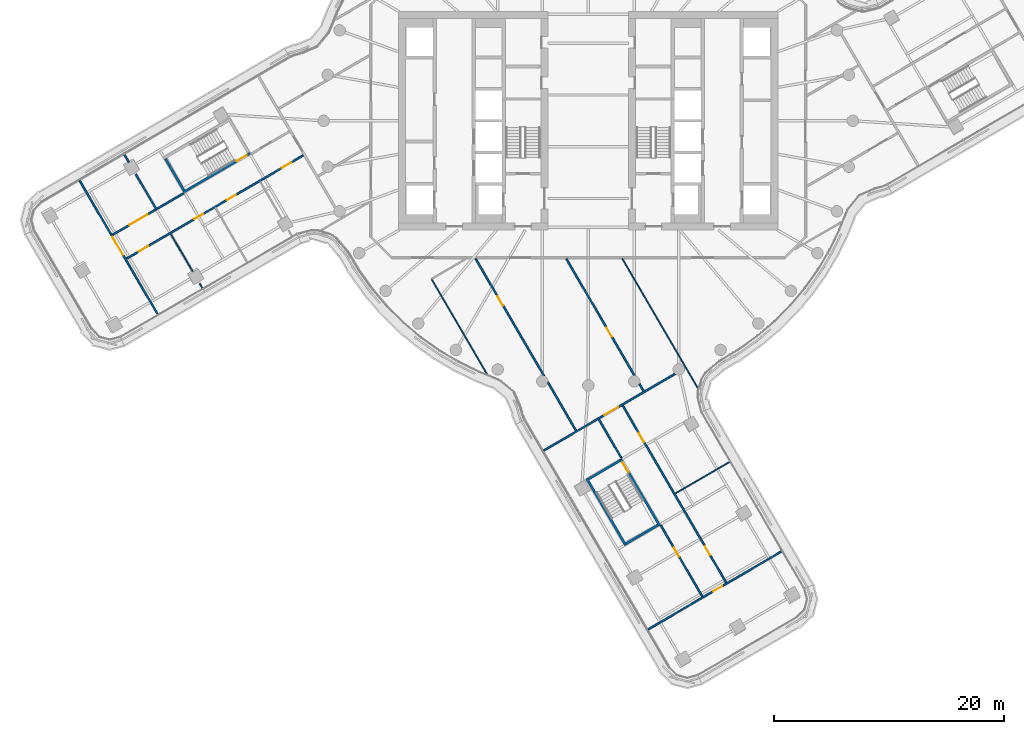
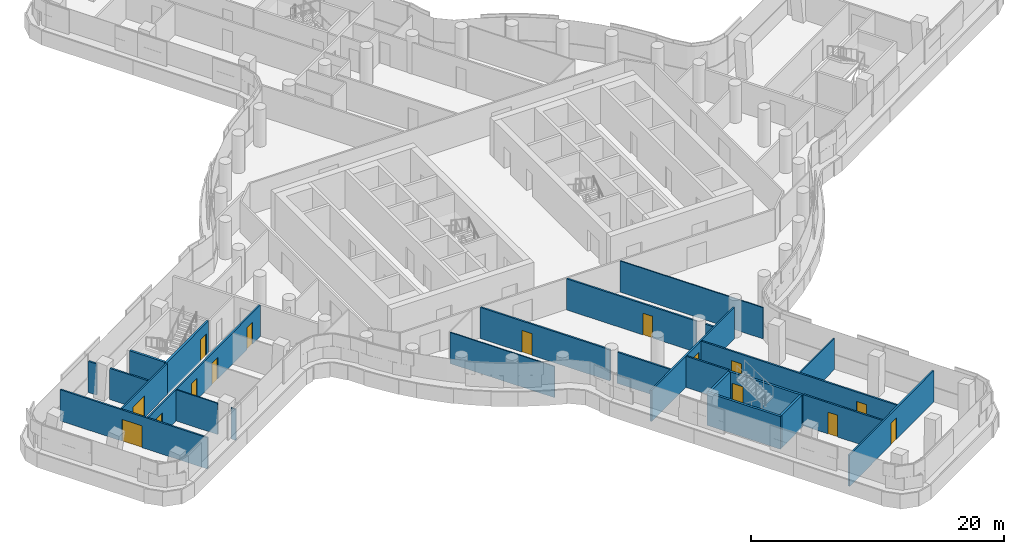
# One storey, part 21 of 35: 25 walls, 15 doors, 15 openings.
"""IFC4 building model written with IfcOpenShell, lengths in metres."""

from ifc_helpers import new_model, si_unit, direction, frame, frame_2d, origin, place, context, subcontext, project, spatial, polyline, rectangle, outline, extrude, material, layer, layer_set, type_object, element, fill, save


model = new_model("IFC4")

# Units and contexts
model_context = context("Model", 3, precision=1e-05, world=origin(), true_north=direction((0.0, 1.0)))
body_context = subcontext(model_context, "Body", "Model", "MODEL_VIEW")
ifc_project = project(units=[si_unit("LENGTHUNIT", "METRE"), si_unit("AREAUNIT", "SQUARE_METRE"), si_unit("VOLUMEUNIT", "CUBIC_METRE"), si_unit("PLANEANGLEUNIT", "RADIAN"), si_unit("MASSUNIT", "GRAM", prefix="KILO")], contexts=[model_context])

# Site, building, storey
site_placement = place(None, origin())
site = spatial("IfcSite", under=ifc_project, at=site_placement, CompositionType="ELEMENT")
building_placement = place(site_placement, origin())
building = spatial("IfcBuilding", under=site, at=building_placement, Name="Tamarind Cross Interchange Tower", CompositionType="ELEMENT")
storey_placement = place(building_placement, frame((0.0, 0.0, 144.25)))
storey = spatial("IfcBuildingStorey", under=building, at=storey_placement, Name="L35", CompositionType="ELEMENT", Elevation=144.25)

# Walls
ifc_material_1 = material(Name="Gypsum board partition on steel studs", Category="steel")
ifc_layer_1 = layer(ifc_material_1, 0.10009765625)
ifc_layer_set_1 = layer_set([ifc_layer_1], Name="Gypsum board partition on steel studs")
wall_type_1 = type_object("IfcWallType", Name="Partition 100 mm EI 90", PredefinedType="PARTITIONING", material=ifc_layer_set_1)
wall_1_placement = place(storey_placement, frame((-36.29345703125, -9.828857421875, 0.0), z_axis=(0.0, 0.0, 1.0), x_axis=(0.504524326747, -0.863397477249, 0.0)))
element("IfcWall", 1, at=wall_1_placement, inside=storey, type_object=wall_type_1, Name="Partition L35-004", PredefinedType="PARTITIONING", context=body_context, shape_type="SweptSolid", body=[
    extrude(rectangle(XDim=3.78662109375, YDim=0.10009765625, at=frame_2d((1.893310546875, 0.0))), origin(), (0.0, 0.0, 1.0), 3.010009765625),
])
wall_2_placement = place(storey_placement, frame((-33.781494140625, -14.127685546875, 0.0), z_axis=(0.0, 0.0, 1.0), x_axis=(0.504757124564, -0.863261400274, 0.0)))
element("IfcWall", 2, at=wall_2_placement, inside=storey, type_object=wall_type_1, Name="Partition L35-005", PredefinedType="PARTITIONING", context=body_context, shape_type="SweptSolid", body=[
    extrude(rectangle(XDim=0.46240234375, YDim=0.10009765625, at=frame_2d((0.231201171875, 0.0))), origin(), (0.0, 0.0, 1.0), 3.010009765625),
])
wall_3_placement = place(storey_placement, frame((-13.599853515625, -13.790283203125, 0.0), z_axis=(0.0, 0.0, 1.0), x_axis=(0.50451801346, -0.863401166373, 0.0)))
element("IfcWall", 3, at=wall_3_placement, inside=storey, type_object=wall_type_1, Name="Partition L35-010", PredefinedType="PARTITIONING", context=body_context, shape_type="SweptSolid", body=[
    extrude(rectangle(XDim=9.5, YDim=0.10009765625, at=frame_2d((4.75, 0.0))), origin(), (0.0, 0.0, 1.0), 3.010009765625),
])
wall_4_placement = place(storey_placement, frame((2.948974609375, -11.98193359375, 0.0), z_axis=(0.0, 0.0, 1.0), x_axis=(0.504470329386, -0.863429028218, 0.0)))
element("IfcWall", 4, at=wall_4_placement, inside=storey, type_object=wall_type_1, Name="Partition L35-027", PredefinedType="PARTITIONING", context=body_context, shape_type="SweptSolid", body=[
    extrude(rectangle(XDim=13.016357421875, YDim=0.10009765625, at=frame_2d((6.50830078125, 0.0))), origin(), (0.0, 0.0, 1.0), 3.010009765625),
])
wall_5_placement = place(storey_placement, frame((7.558837890625, -32.408203125, 0.0), z_axis=(0.0, 0.0, 1.0), x_axis=(0.863434278628, 0.504461342909, 0.0)))
element("IfcWall", 5, at=wall_5_placement, inside=storey, type_object=wall_type_1, Name="Partition L35-060", PredefinedType="PARTITIONING", context=body_context, shape_type="SweptSolid", body=[
    extrude(rectangle(XDim=5.450439453125, YDim=0.10009765625, at=frame_2d((2.72509765625, 0.0))), origin(), (0.0, 0.0, 1.0), 3.010009765625),
])

# Wall, opening, door
ifc_layer_2 = layer(ifc_material_1, 0.14990234375)
ifc_layer_set_2 = layer_set([ifc_layer_2], Name="Gypsum board partition on steel studs")
wall_type_2 = type_object("IfcWallType", Name="Partition 150 mm EI 120", PredefinedType="PARTITIONING", material=ifc_layer_set_2)
wall_6_placement = place(storey_placement, frame((-44.201904296875, -5.21435546875, 0.0), z_axis=(0.0, 0.0, 1.0), x_axis=(0.504503846104, -0.86340944474, 0.0)))
wall_6 = element("IfcWall", 6, at=wall_6_placement, inside=storey, type_object=wall_type_2, Name="Partition L35-001", PredefinedType="PARTITIONING", context=body_context, shape_type="SweptSolid", body=[
    extrude(rectangle(XDim=13.406005859375, YDim=0.14990234375, at=frame_2d((6.703125, 0.0))), origin(), (0.0, 0.0, 1.0), 3.010009765625),
])
opening_1_placement = place(wall_6_placement, frame((5.6484375, 0.0, 0.0)))
opening_1 = element("IfcOpeningElement", 7, at=opening_1_placement, cuts=wall_6, Name="Opening D01", PredefinedType="OPENING", context=body_context, shape_type="SweptSolid", body=[
    extrude(rectangle(XDim=1.800048828125, YDim=2.10009765625, at=frame_2d((0.89990234375, 1.050048828125))), frame((0.0, 0.0849609375, 0.0), z_axis=(0.0, -1.0, 0.0), x_axis=(1.0, 0.0, 0.0)), (0.0, 0.0, 1.0), 0.169921875),
])
ifc_material_2 = material(Name="Fire-resisting door set")
door_type_1 = type_object("IfcDoorType", Name="Interior door 1800 x 2100 FD60S", OperationType="DOUBLE_DOOR_SINGLE_SWING", PredefinedType="DOOR", material=ifc_material_2)
door_1_placement = place(opening_1_placement, frame((1.800048828125, 0.0, 0.0), z_axis=(0.0, 0.0, 1.0), x_axis=(-1.0, 0.0, 0.0)))
door_1 = element("IfcDoor", 8, at=door_1_placement, inside=storey, type_object=door_type_1, Name="Door D01", OperationType="DOUBLE_DOOR_SINGLE_SWING", OverallHeight=2.10009765625, OverallWidth=1.800048828125, PredefinedType="DOOR", context=body_context, shape_type="SweptSolid", body=[
    extrude(rectangle(XDim=1.800048828125, YDim=2.10009765625, at=frame_2d((0.89990234375, 1.050048828125))), frame((0.0, 0.02490234375, 0.0), z_axis=(0.0, -1.0, 0.0), x_axis=(1.0, 0.0, 0.0)), (0.0, 0.0, 1.0), 0.050048828125),
])
fill(opening_1, door_1)

# Walls
wall_7_placement = place(storey_placement, frame((-40.31640625, -2.944091796875, 0.0), z_axis=(0.0, 0.0, 1.0), x_axis=(0.504490249724, -0.863417389177, 0.0)))
element("IfcWall", 9, at=wall_7_placement, inside=storey, type_object=wall_type_2, Name="Partition L35-002", PredefinedType="PARTITIONING", context=body_context, shape_type="SweptSolid", body=[
    extrude(rectangle(XDim=0.759765625, YDim=0.14990234375, at=frame_2d((0.3798828125, 0.0))), origin(), (0.0, 0.0, 1.0), 3.010009765625),
])
wall_8_placement = place(storey_placement, frame((-39.330810546875, -4.630615234375, 0.0), z_axis=(0.0, 0.0, 1.0), x_axis=(0.504484131956, -0.863420963728, 0.0)))
element("IfcWall", 10, at=wall_8_placement, inside=storey, type_object=wall_type_2, Name="Partition L35-003", PredefinedType="PARTITIONING", context=body_context, shape_type="SweptSolid", body=[
    extrude(rectangle(XDim=3.465576171875, YDim=0.14990234375, at=frame_2d((1.73291015625, 0.0))), origin(), (0.0, 0.0, 1.0), 3.010009765625),
])

# Wall, opening, door
wall_9_placement = place(storey_placement, frame((-9.784423828125, -11.9951171875, 0.0), z_axis=(0.0, 0.0, 1.0), x_axis=(0.504549995646, -0.863382477175, 0.0)))
wall_9 = element("IfcWall", 11, at=wall_9_placement, inside=storey, type_object=wall_type_2, Name="Partition L35-014", PredefinedType="PARTITIONING", context=body_context, shape_type="SweptSolid", body=[
    extrude(rectangle(XDim=11.8017578125, YDim=0.14990234375, at=frame_2d((5.90087890625, 0.0))), origin(), (0.0, 0.0, 1.0), 3.010009765625),
])
opening_2_placement = place(wall_9_placement, frame((3.7900390625, 0.0, 0.0)))
opening_2 = element("IfcOpeningElement", 12, at=opening_2_placement, cuts=wall_9, Name="Opening D08", PredefinedType="OPENING", context=body_context, shape_type="SweptSolid", body=[
    extrude(rectangle(XDim=0.89990234375, YDim=2.10009765625, at=frame_2d((0.449951171875, 1.050048828125))), frame((0.0, 0.0849609375, 0.0), z_axis=(0.0, -1.0, 0.0), x_axis=(1.0, 0.0, 0.0)), (0.0, 0.0, 1.0), 0.169921875),
])
door_type_2 = type_object("IfcDoorType", Name="Interior door 900 x 2100 FD60S", OperationType="SINGLE_SWING_LEFT", PredefinedType="DOOR", material=ifc_material_2)
door_2_placement = place(opening_2_placement, frame((0.89990234375, 0.0, 0.0), z_axis=(0.0, 0.0, 1.0), x_axis=(-1.0, 0.0, 0.0)))
door_2 = element("IfcDoor", 13, at=door_2_placement, inside=storey, type_object=door_type_2, Name="Door D08", OperationType="SINGLE_SWING_LEFT", OverallHeight=2.10009765625, OverallWidth=0.89990234375, PredefinedType="DOOR", context=body_context, shape_type="SweptSolid", body=[
    extrude(rectangle(XDim=0.89990234375, YDim=2.10009765625, at=frame_2d((0.449951171875, 1.050048828125))), frame((0.0, 0.02490234375, 0.0), z_axis=(0.0, -1.0, 0.0), x_axis=(1.0, 0.0, 0.0)), (0.0, 0.0, 1.0), 0.050048828125),
])
fill(opening_2, door_2)

# Wall
wall_10_placement = place(storey_placement, frame((-3.507080078125, -22.73681640625, 0.0), z_axis=(0.0, 0.0, 1.0), x_axis=(0.50455584468, -0.863379059046, 0.0)))
element("IfcWall", 14, at=wall_10_placement, inside=storey, type_object=wall_type_2, Name="Partition L35-015", PredefinedType="PARTITIONING", context=body_context, shape_type="SweptSolid", body=[
    extrude(rectangle(XDim=4.853271484375, YDim=0.14990234375, at=frame_2d((2.4267578125, 0.0))), origin(), (0.0, 0.0, 1.0), 3.010009765625),
])

# Wall, opening, door
wall_11_placement = place(storey_placement, frame((-1.908447265625, -11.9951171875, 0.0), z_axis=(0.0, 0.0, 1.0), x_axis=(0.504524006629, -0.863397664309, 0.0)))
wall_11 = element("IfcWall", 15, at=wall_11_placement, inside=storey, type_object=wall_type_2, Name="Partition L35-020", PredefinedType="PARTITIONING", context=body_context, shape_type="SweptSolid", body=[
    extrude(rectangle(XDim=11.76025390625, YDim=0.14990234375, at=frame_2d((5.880126953125, 0.0))), origin(), (0.0, 0.0, 1.0), 3.010009765625),
])
opening_3_placement = place(wall_11_placement, frame((6.93994140625, 0.0, 0.0)))
opening_3 = element("IfcOpeningElement", 16, at=opening_3_placement, cuts=wall_11, Name="Opening D11", PredefinedType="OPENING", context=body_context, shape_type="SweptSolid", body=[
    extrude(rectangle(XDim=0.89990234375, YDim=2.10009765625, at=frame_2d((0.449951171875, 1.050048828125))), frame((0.0, 0.0849609375, 0.0), z_axis=(0.0, -1.0, 0.0), x_axis=(1.0, 0.0, 0.0)), (0.0, 0.0, 1.0), 0.169921875),
])
door_3_placement = place(opening_3_placement, origin())
door_3 = element("IfcDoor", 17, at=door_3_placement, inside=storey, type_object=door_type_2, Name="Door D11", OperationType="SINGLE_SWING_LEFT", OverallHeight=2.10009765625, OverallWidth=0.89990234375, PredefinedType="DOOR", context=body_context, shape_type="SweptSolid", body=[
    extrude(rectangle(XDim=0.89990234375, YDim=2.10009765625, at=frame_2d((0.449951171875, 1.050048828125))), frame((0.0, 0.02490234375, 0.0), z_axis=(0.0, -1.0, 0.0), x_axis=(1.0, 0.0, 0.0)), (0.0, 0.0, 1.0), 0.050048828125),
])
fill(opening_3, door_3)

# Walls
wall_12_placement = place(storey_placement, frame((4.445556640625, -22.86865234375, 0.0), z_axis=(0.0, 0.0, 1.0), x_axis=(0.504392576963, -0.863474451448, 0.0)))
element("IfcWall", 18, at=wall_12_placement, inside=storey, type_object=wall_type_2, Name="Partition L35-021", PredefinedType="PARTITIONING", context=body_context, shape_type="SweptSolid", body=[
    extrude(rectangle(XDim=0.7275390625, YDim=0.14990234375, at=frame_2d((0.36376953125, 0.0))), origin(), (0.0, 0.0, 1.0), 3.010009765625),
])
wall_13_placement = place(storey_placement, frame((0.918701171875, -25.95068359375, 0.0), z_axis=(0.0, 0.0, 1.0), x_axis=(0.504593565286, -0.863357014144, 0.0)))
element("IfcWall", 19, at=wall_13_placement, inside=storey, type_object=wall_type_2, Name="Partition L35-023", PredefinedType="PARTITIONING", context=body_context, shape_type="SweptSolid", body=[
    extrude(rectangle(XDim=3.8857421875, YDim=0.14990234375, at=frame_2d((1.94287109375, 0.0))), origin(), (0.0, 0.0, 1.0), 3.010009765625),
])

# Wall, opening, door
wall_14_placement = place(storey_placement, frame((6.2998046875, -35.15869140625, 0.0), z_axis=(0.0, 0.0, 1.0), x_axis=(0.504526217579, -0.863396372343, 0.0)))
wall_14 = element("IfcWall", 20, at=wall_14_placement, inside=storey, type_object=wall_type_2, Name="Partition L35-024", PredefinedType="PARTITIONING", context=body_context, shape_type="SweptSolid", body=[
    extrude(rectangle(XDim=7.1806640625, YDim=0.14990234375, at=frame_2d((3.59033203125, 0.0))), origin(), (0.0, 0.0, 1.0), 3.010009765625),
])
opening_4_placement = place(wall_14_placement, frame((2.25, 0.0, 0.0)))
opening_4 = element("IfcOpeningElement", 21, at=opening_4_placement, cuts=wall_14, Name="Opening D13", PredefinedType="OPENING", context=body_context, shape_type="SweptSolid", body=[
    extrude(rectangle(XDim=0.89990234375, YDim=2.10009765625, at=frame_2d((0.449951171875, 1.050048828125))), frame((0.0, 0.0849609375, 0.0), z_axis=(0.0, -1.0, 0.0), x_axis=(1.0, 0.0, 0.0)), (0.0, 0.0, 1.0), 0.169921875),
])
door_4_placement = place(opening_4_placement, frame((0.89990234375, 0.0, 0.0), z_axis=(0.0, 0.0, 1.0), x_axis=(-1.0, 0.0, 0.0)))
door_4 = element("IfcDoor", 22, at=door_4_placement, inside=storey, type_object=door_type_2, Name="Door D13", OperationType="SINGLE_SWING_LEFT", OverallHeight=2.10009765625, OverallWidth=0.89990234375, PredefinedType="DOOR", context=body_context, shape_type="SweptSolid", body=[
    extrude(rectangle(XDim=0.89990234375, YDim=2.10009765625, at=frame_2d((0.449951171875, 1.050048828125))), frame((0.0, 0.02490234375, 0.0), z_axis=(0.0, -1.0, 0.0), x_axis=(1.0, 0.0, 0.0)), (0.0, 0.0, 1.0), 0.050048828125),
])
fill(opening_4, door_4)

# Wall, openings, doors
wall_15_placement = place(storey_placement, frame((2.99072265625, -24.74072265625, 0.0), z_axis=(0.0, 0.0, 1.0), x_axis=(0.504554775132, -0.863379684085, 0.0)))
wall_15 = element("IfcWall", 23, at=wall_15_placement, inside=storey, type_object=wall_type_2, Name="Partition L35-028", PredefinedType="PARTITIONING", context=body_context, shape_type="SweptSolid", body=[
    extrude(rectangle(XDim=17.84521484375, YDim=0.14990234375, at=frame_2d((8.922607421875, 0.0))), origin(), (0.0, 0.0, 1.0), 3.010009765625),
])
opening_5_placement = place(wall_15_placement, frame((2.77490234375, 0.0, 0.0)))
opening_5 = element("IfcOpeningElement", 24, at=opening_5_placement, cuts=wall_15, Name="Opening D16", PredefinedType="OPENING", context=body_context, shape_type="SweptSolid", body=[
    extrude(rectangle(XDim=0.89990234375, YDim=2.10009765625, at=frame_2d((0.449951171875, 1.050048828125))), frame((0.0, 0.0849609375, 0.0), z_axis=(0.0, -1.0, 0.0), x_axis=(1.0, 0.0, 0.0)), (0.0, 0.0, 1.0), 0.169921875),
])
opening_6_placement = place(wall_15_placement, frame((14.174560546875, 0.0, 0.0)))
opening_6 = element("IfcOpeningElement", 25, at=opening_6_placement, cuts=wall_15, Name="Opening D17", PredefinedType="OPENING", context=body_context, shape_type="SweptSolid", body=[
    extrude(rectangle(XDim=0.89990234375, YDim=2.10009765625, at=frame_2d((0.449951171875, 1.050048828125))), frame((0.0, 0.0849609375, 0.0), z_axis=(0.0, -1.0, 0.0), x_axis=(1.0, 0.0, 0.0)), (0.0, 0.0, 1.0), 0.169921875),
])
door_5_placement = place(opening_5_placement, origin())
door_5 = element("IfcDoor", 26, at=door_5_placement, inside=storey, type_object=door_type_2, Name="Door D16", OperationType="SINGLE_SWING_RIGHT", OverallHeight=2.10009765625, OverallWidth=0.89990234375, PredefinedType="DOOR", context=body_context, shape_type="SweptSolid", body=[
    extrude(rectangle(XDim=0.89990234375, YDim=2.10009765625, at=frame_2d((0.449951171875, 1.050048828125))), frame((0.0, 0.02490234375, 0.0), z_axis=(0.0, -1.0, 0.0), x_axis=(1.0, 0.0, 0.0)), (0.0, 0.0, 1.0), 0.050048828125),
])
fill(opening_5, door_5)
door_6_placement = place(opening_6_placement, origin())
door_6 = element("IfcDoor", 27, at=door_6_placement, inside=storey, type_object=door_type_2, Name="Door D17", OperationType="SINGLE_SWING_LEFT", OverallHeight=2.10009765625, OverallWidth=0.89990234375, PredefinedType="DOOR", context=body_context, shape_type="SweptSolid", body=[
    extrude(rectangle(XDim=0.89990234375, YDim=2.10009765625, at=frame_2d((0.449951171875, 1.050048828125))), frame((0.0, 0.02490234375, 0.0), z_axis=(0.0, -1.0, 0.0), x_axis=(1.0, 0.0, 0.0)), (0.0, 0.0, 1.0), 0.050048828125),
])
fill(opening_6, door_6)

# Wall, opening, door
wall_16_placement = place(storey_placement, frame((-41.35888671875, -9.921630859375, 0.0), z_axis=(0.0, 0.0, 1.0), x_axis=(0.863425993099, 0.504475524124, 0.0)))
wall_16 = element("IfcWall", 28, at=wall_16_placement, inside=storey, type_object=wall_type_2, Name="Partition L35-038", PredefinedType="PARTITIONING", context=body_context, shape_type="SweptSolid", body=[
    extrude(rectangle(XDim=7.180419921875, YDim=0.14990234375, at=frame_2d((3.59033203125, 0.0))), origin(), (0.0, 0.0, 1.0), 3.010009765625),
])
opening_7_placement = place(wall_16_placement, frame((1.719970703125, 0.0, 0.0)))
opening_7 = element("IfcOpeningElement", 29, at=opening_7_placement, cuts=wall_16, Name="Opening D26", PredefinedType="OPENING", context=body_context, shape_type="SweptSolid", body=[
    extrude(rectangle(XDim=1.800048828125, YDim=2.10009765625, at=frame_2d((0.89990234375, 1.050048828125))), frame((0.0, 0.0849609375, 0.0), z_axis=(0.0, -1.0, 0.0), x_axis=(1.0, 0.0, 0.0)), (0.0, 0.0, 1.0), 0.169921875),
])
door_7_placement = place(opening_7_placement, origin())
door_7 = element("IfcDoor", 30, at=door_7_placement, inside=storey, type_object=door_type_1, Name="Door D26", OperationType="DOUBLE_DOOR_SINGLE_SWING", OverallHeight=2.10009765625, OverallWidth=1.800048828125, PredefinedType="DOOR", context=body_context, shape_type="SweptSolid", body=[
    extrude(rectangle(XDim=1.800048828125, YDim=2.10009765625, at=frame_2d((0.89990234375, 1.050048828125))), frame((0.0, 0.02490234375, 0.0), z_axis=(0.0, -1.0, 0.0), x_axis=(1.0, 0.0, 0.0)), (0.0, 0.0, 1.0), 0.050048828125),
])
fill(opening_7, door_7)

# Wall, openings, doors
wall_17_placement = place(storey_placement, frame((-40.14794921875, -11.99462890625, 0.0), z_axis=(0.0, 0.0, 1.0), x_axis=(0.863379617507, 0.504554889058, 0.0)))
wall_17 = element("IfcWall", 31, at=wall_17_placement, inside=storey, type_object=wall_type_2, Name="Partition L35-040", PredefinedType="PARTITIONING", context=body_context, shape_type="SweptSolid", body=[
    extrude(rectangle(XDim=17.820068359375, YDim=0.14990234375, at=frame_2d((8.91015625, 0.0))), origin(), (0.0, 0.0, 1.0), 3.010009765625),
])
opening_8_placement = place(wall_17_placement, frame((15.670166015625, 0.0, 0.0)))
opening_8 = element("IfcOpeningElement", 32, at=opening_8_placement, cuts=wall_17, Name="Opening D28", PredefinedType="OPENING", context=body_context, shape_type="SweptSolid", body=[
    extrude(rectangle(XDim=0.89990234375, YDim=2.10009765625, at=frame_2d((0.449951171875, 1.050048828125))), frame((0.0, 0.0849609375, 0.0), z_axis=(0.0, -1.0, 0.0), x_axis=(1.0, 0.0, 0.0)), (0.0, 0.0, 1.0), 0.169921875),
])
opening_9_placement = place(wall_17_placement, frame((10.12060546875, 0.0, 0.0)))
opening_9 = element("IfcOpeningElement", 33, at=opening_9_placement, cuts=wall_17, Name="Opening D29", PredefinedType="OPENING", context=body_context, shape_type="SweptSolid", body=[
    extrude(rectangle(XDim=0.89990234375, YDim=2.10009765625, at=frame_2d((0.449951171875, 1.050048828125))), frame((0.0, 0.0849609375, 0.0), z_axis=(0.0, -1.0, 0.0), x_axis=(1.0, 0.0, 0.0)), (0.0, 0.0, 1.0), 0.169921875),
])
opening_10_placement = place(wall_17_placement, frame((6.82080078125, 0.0, 0.0)))
opening_10 = element("IfcOpeningElement", 34, at=opening_10_placement, cuts=wall_17, Name="Opening D30", PredefinedType="OPENING", context=body_context, shape_type="SweptSolid", body=[
    extrude(rectangle(XDim=0.89990234375, YDim=2.10009765625, at=frame_2d((0.449951171875, 1.050048828125))), frame((0.0, 0.0849609375, 0.0), z_axis=(0.0, -1.0, 0.0), x_axis=(1.0, 0.0, 0.0)), (0.0, 0.0, 1.0), 0.169921875),
])
opening_11_placement = place(wall_17_placement, frame((1.27001953125, 0.0, 0.0)))
opening_11 = element("IfcOpeningElement", 35, at=opening_11_placement, cuts=wall_17, Name="Opening D31", PredefinedType="OPENING", context=body_context, shape_type="SweptSolid", body=[
    extrude(rectangle(XDim=0.89990234375, YDim=2.10009765625, at=frame_2d((0.449951171875, 1.050048828125))), frame((0.0, 0.0849609375, 0.0), z_axis=(0.0, -1.0, 0.0), x_axis=(1.0, 0.0, 0.0)), (0.0, 0.0, 1.0), 0.169921875),
])
door_8_placement = place(opening_8_placement, frame((0.89990234375, 0.0, 0.0), z_axis=(0.0, 0.0, 1.0), x_axis=(-1.0, 0.0, 0.0)))
door_8 = element("IfcDoor", 36, at=door_8_placement, inside=storey, type_object=door_type_2, Name="Door D28", OperationType="SINGLE_SWING_RIGHT", OverallHeight=2.10009765625, OverallWidth=0.89990234375, PredefinedType="DOOR", context=body_context, shape_type="SweptSolid", body=[
    extrude(rectangle(XDim=0.89990234375, YDim=2.10009765625, at=frame_2d((0.449951171875, 1.050048828125))), frame((0.0, 0.02490234375, 0.0), z_axis=(0.0, -1.0, 0.0), x_axis=(1.0, 0.0, 0.0)), (0.0, 0.0, 1.0), 0.050048828125),
])
fill(opening_8, door_8)
door_9_placement = place(opening_9_placement, frame((0.89990234375, 0.0, 0.0), z_axis=(0.0, 0.0, 1.0), x_axis=(-1.0, 0.0, 0.0)))
door_9 = element("IfcDoor", 37, at=door_9_placement, inside=storey, type_object=door_type_2, Name="Door D29", OperationType="SINGLE_SWING_RIGHT", OverallHeight=2.10009765625, OverallWidth=0.89990234375, PredefinedType="DOOR", context=body_context, shape_type="SweptSolid", body=[
    extrude(rectangle(XDim=0.89990234375, YDim=2.10009765625, at=frame_2d((0.449951171875, 1.050048828125))), frame((0.0, 0.02490234375, 0.0), z_axis=(0.0, -1.0, 0.0), x_axis=(1.0, 0.0, 0.0)), (0.0, 0.0, 1.0), 0.050048828125),
])
fill(opening_9, door_9)
door_10_placement = place(opening_10_placement, frame((0.89990234375, 0.0, 0.0), z_axis=(0.0, 0.0, 1.0), x_axis=(-1.0, 0.0, 0.0)))
door_10 = element("IfcDoor", 38, at=door_10_placement, inside=storey, type_object=door_type_2, Name="Door D30", OperationType="SINGLE_SWING_LEFT", OverallHeight=2.10009765625, OverallWidth=0.89990234375, PredefinedType="DOOR", context=body_context, shape_type="SweptSolid", body=[
    extrude(rectangle(XDim=0.89990234375, YDim=2.10009765625, at=frame_2d((0.449951171875, 1.050048828125))), frame((0.0, 0.02490234375, 0.0), z_axis=(0.0, -1.0, 0.0), x_axis=(1.0, 0.0, 0.0)), (0.0, 0.0, 1.0), 0.050048828125),
])
fill(opening_10, door_10)
door_11_placement = place(opening_11_placement, frame((0.89990234375, 0.0, 0.0), z_axis=(0.0, 0.0, 1.0), x_axis=(-1.0, 0.0, 0.0)))
door_11 = element("IfcDoor", 39, at=door_11_placement, inside=storey, type_object=door_type_2, Name="Door D31", OperationType="SINGLE_SWING_LEFT", OverallHeight=2.10009765625, OverallWidth=0.89990234375, PredefinedType="DOOR", context=body_context, shape_type="SweptSolid", body=[
    extrude(rectangle(XDim=0.89990234375, YDim=2.10009765625, at=frame_2d((0.449951171875, 1.050048828125))), frame((0.0, 0.02490234375, 0.0), z_axis=(0.0, -1.0, 0.0), x_axis=(1.0, 0.0, 0.0)), (0.0, 0.0, 1.0), 0.050048828125),
])
fill(opening_11, door_11)

# Wall, opening, door
wall_18_placement = place(storey_placement, frame((-3.866943359375, -28.660400390625, 0.0), z_axis=(0.0, 0.0, 1.0), x_axis=(0.863397540326, 0.504524218803, 0.0)))
wall_18 = element("IfcWall", 40, at=wall_18_placement, inside=storey, type_object=wall_type_2, Name="Partition L35-058", PredefinedType="PARTITIONING", context=body_context, shape_type="SweptSolid", body=[
    extrude(rectangle(XDim=13.22021484375, YDim=0.14990234375, at=frame_2d((6.610107421875, 0.0))), origin(), (0.0, 0.0, 1.0), 3.010009765625),
])
opening_12_placement = place(wall_18_placement, frame((6.09912109375, 0.0, 0.0)))
opening_12 = element("IfcOpeningElement", 41, at=opening_12_placement, cuts=wall_18, Name="Opening D35", PredefinedType="OPENING", context=body_context, shape_type="SweptSolid", body=[
    extrude(rectangle(XDim=1.39990234375, YDim=2.10009765625, at=frame_2d((0.699951171875, 1.050048828125))), frame((0.0, 0.0849609375, 0.0), z_axis=(0.0, -1.0, 0.0), x_axis=(1.0, 0.0, 0.0)), (0.0, 0.0, 1.0), 0.169921875),
])
door_type_3 = type_object("IfcDoorType", Name="Interior door 1400 x 2100 FD60S", OperationType="DOUBLE_DOOR_SINGLE_SWING", PredefinedType="DOOR", material=ifc_material_2)
door_12_placement = place(opening_12_placement, origin())
door_12 = element("IfcDoor", 42, at=door_12_placement, inside=storey, type_object=door_type_3, Name="Door D35", OperationType="DOUBLE_DOOR_SINGLE_SWING", OverallHeight=2.10009765625, OverallWidth=1.39990234375, PredefinedType="DOOR", context=body_context, shape_type="SweptSolid", body=[
    extrude(rectangle(XDim=1.39990234375, YDim=2.10009765625, at=frame_2d((0.699951171875, 1.050048828125))), frame((0.0, 0.02490234375, 0.0), z_axis=(0.0, -1.0, 0.0), x_axis=(1.0, 0.0, 0.0)), (0.0, 0.0, 1.0), 0.050048828125),
])
fill(opening_12, door_12)

wall_19_placement = place(storey_placement, frame((5.21435546875, -44.201904296875, 0.0), z_axis=(0.0, 0.0, 1.0), x_axis=(0.86340944474, 0.504503846104, 0.0)))
wall_19 = element("IfcWall", 43, at=wall_19_placement, inside=storey, type_object=wall_type_2, Name="Partition L35-059", PredefinedType="PARTITIONING", context=body_context, shape_type="SweptSolid", body=[
    extrude(rectangle(XDim=13.406005859375, YDim=0.14990234375, at=frame_2d((6.703125, 0.0))), origin(), (0.0, 0.0, 1.0), 3.010009765625),
])
opening_13_placement = place(wall_19_placement, frame((6.548583984375, 0.0, 0.0)))
opening_13 = element("IfcOpeningElement", 44, at=opening_13_placement, cuts=wall_19, Name="Opening D36", PredefinedType="OPENING", context=body_context, shape_type="SweptSolid", body=[
    extrude(rectangle(XDim=0.89990234375, YDim=2.10009765625, at=frame_2d((0.449951171875, 1.050048828125))), frame((0.0, 0.0849609375, 0.0), z_axis=(0.0, -1.0, 0.0), x_axis=(1.0, 0.0, 0.0)), (0.0, 0.0, 1.0), 0.169921875),
])
door_13_placement = place(opening_13_placement, frame((0.89990234375, 0.0, 0.0), z_axis=(0.0, 0.0, 1.0), x_axis=(-1.0, 0.0, 0.0)))
door_13 = element("IfcDoor", 45, at=door_13_placement, inside=storey, type_object=door_type_2, Name="Door D36", OperationType="SINGLE_SWING_RIGHT", OverallHeight=2.10009765625, OverallWidth=0.89990234375, PredefinedType="DOOR", context=body_context, shape_type="SweptSolid", body=[
    extrude(rectangle(XDim=0.89990234375, YDim=2.10009765625, at=frame_2d((0.449951171875, 1.050048828125))), frame((0.0, 0.02490234375, 0.0), z_axis=(0.0, -1.0, 0.0), x_axis=(1.0, 0.0, 0.0)), (0.0, 0.0, 1.0), 0.050048828125),
])
fill(opening_13, door_13)

ifc_material_3 = material(Name="Concrete C40", Category="concrete")
ifc_layer_3 = layer(ifc_material_3, 0.199951171875)
ifc_layer_set_3 = layer_set([ifc_layer_3], Name="Concrete C40")
wall_type_3 = type_object("IfcWallType", Name="Stair shaft wall 200 mm Concrete C40", PredefinedType="SHEAR", material=ifc_layer_set_3)
wall_20_placement = place(storey_placement, frame((-29.390380859375, -2.812744140625, -0.139892578125), z_axis=(0.0, 0.0, 1.0), x_axis=(-0.863399360713, -0.504521103542, 0.0)))
wall_20 = element("IfcWall", 46, at=wall_20_placement, inside=storey, type_object=wall_type_3, Name="Core wall CWL-L35-ST5-H", PredefinedType="SHEAR", context=body_context, shape_type="SweptSolid", body=[
    extrude(rectangle(XDim=6.7001953125, YDim=0.199951171875, at=frame_2d((3.35009765625, 0.0))), origin(), (0.0, 0.0, 1.0), 3.14990234375),
])
opening_14_placement = place(wall_20_placement, frame((0.35009765625, 0.0, 0.0)))
opening_14 = element("IfcOpeningElement", 47, at=opening_14_placement, cuts=wall_20, Name="Opening ST5L35", PredefinedType="OPENING", context=body_context, shape_type="SweptSolid", body=[
    extrude(rectangle(XDim=1.0, YDim=2.10009765625, at=frame_2d((0.5, 1.050048828125))), frame((0.0, 0.10986328125, 0.0), z_axis=(0.0, -1.0, 0.0), x_axis=(1.0, 0.0, 0.0)), (0.0, 0.0, 1.0), 0.219970703125),
])
ifc_material_4 = material(Name="Steel, fire-resisting", Category="steel")
door_type_4 = type_object("IfcDoorType", Name="Core fire door 1000 x 2100 FD90", OperationType="SINGLE_SWING_LEFT", PredefinedType="DOOR", material=ifc_material_4)
door_14_placement = place(opening_14_placement, origin())
door_14 = element("IfcDoor", 48, at=door_14_placement, inside=storey, type_object=door_type_4, Name="L35 stair door ST5", OperationType="SINGLE_SWING_LEFT", OverallHeight=2.10009765625, OverallWidth=1.0, PredefinedType="DOOR", context=body_context, shape_type="SweptSolid", body=[
    extrude(rectangle(XDim=1.0, YDim=2.10009765625, at=frame_2d((0.5, 1.050048828125))), frame((0.0, 0.02490234375, 0.0), z_axis=(0.0, -1.0, 0.0), x_axis=(1.0, 0.0, 0.0)), (0.0, 0.0, 1.0), 0.050048828125),
])
fill(opening_14, door_14)

# Wall
wall_21_placement = place(storey_placement, frame((0.0, 0.0, -0.139892578125)))
element("IfcWall", 49, at=wall_21_placement, inside=storey, type_object=wall_type_3, Name="Core wall CWL-L35-ST5-CF", PredefinedType="SHEAR", context=body_context, shape_type="SweptSolid", body=[
    extrude(outline(polyline([(-36.66748046875, -3.242919921875), (-36.840087890625, -3.34375), (-35.2255859375, -6.106689453125), (-35.052978515625, -6.005859375), (-36.66748046875, -3.242919921875)])), origin(), (0.0, 0.0, 1.0), 3.14990234375),
])

# Wall, opening, door
wall_22_placement = place(storey_placement, frame((2.812744140625, -29.390380859375, -0.139892578125), z_axis=(0.0, 0.0, 1.0), x_axis=(0.504521103542, -0.863399360713, 0.0)))
wall_22 = element("IfcWall", 50, at=wall_22_placement, inside=storey, type_object=wall_type_3, Name="Core wall CWL-L35-ST6-H", PredefinedType="SHEAR", context=body_context, shape_type="SweptSolid", body=[
    extrude(rectangle(XDim=6.7001953125, YDim=0.199951171875, at=frame_2d((3.35009765625, 0.0))), origin(), (0.0, 0.0, 1.0), 3.14990234375),
])
opening_15_placement = place(wall_22_placement, frame((0.35009765625, 0.0, 0.0)))
opening_15 = element("IfcOpeningElement", 51, at=opening_15_placement, cuts=wall_22, Name="Opening ST6L35", PredefinedType="OPENING", context=body_context, shape_type="SweptSolid", body=[
    extrude(rectangle(XDim=1.0, YDim=2.10009765625, at=frame_2d((0.5, 1.050048828125))), frame((0.0, 0.10986328125, 0.0), z_axis=(0.0, -1.0, 0.0), x_axis=(1.0, 0.0, 0.0)), (0.0, 0.0, 1.0), 0.219970703125),
])
door_15_placement = place(opening_15_placement, origin())
door_15 = element("IfcDoor", 52, at=door_15_placement, inside=storey, type_object=door_type_4, Name="L35 stair door ST6", OperationType="SINGLE_SWING_LEFT", OverallHeight=2.10009765625, OverallWidth=1.0, PredefinedType="DOOR", context=body_context, shape_type="SweptSolid", body=[
    extrude(rectangle(XDim=1.0, YDim=2.10009765625, at=frame_2d((0.5, 1.050048828125))), frame((0.0, 0.02490234375, 0.0), z_axis=(0.0, -1.0, 0.0), x_axis=(1.0, 0.0, 0.0)), (0.0, 0.0, 1.0), 0.050048828125),
])
fill(opening_15, door_15)

# Walls
wall_23_placement = place(storey_placement, frame((-0.122802734375, -31.105712890625, -0.139892578125), z_axis=(0.0, 0.0, 1.0), x_axis=(0.504521103542, -0.863399360713, 0.0)))
element("IfcWall", 53, at=wall_23_placement, inside=storey, type_object=wall_type_3, Name="Core wall CWL-L35-ST6-C", PredefinedType="SHEAR", context=body_context, shape_type="SweptSolid", body=[
    extrude(rectangle(XDim=6.7001953125, YDim=0.199951171875, at=frame_2d((3.35009765625, 0.0))), origin(), (0.0, 0.0, 1.0), 3.14990234375),
])
wall_24_placement = place(storey_placement, frame((0.013916015625, -31.1416015625, -0.139892578125), z_axis=(0.0, 0.0, 1.0), x_axis=(0.863399566887, 0.504520750713, 0.0)))
element("IfcWall", 54, at=wall_24_placement, inside=storey, type_object=wall_type_3, Name="Core wall CWL-L35-ST6-CE", PredefinedType="SHEAR", context=body_context, shape_type="SweptSolid", body=[
    extrude(rectangle(XDim=3.199951171875, YDim=0.199951171875, at=frame_2d((1.60009765625, 0.0))), origin(), (0.0, 0.0, 1.0), 3.14990234375),
])
wall_25_placement = place(storey_placement, frame((0.0, 0.0, -0.139892578125)))
element("IfcWall", 55, at=wall_25_placement, inside=storey, type_object=wall_type_3, Name="Core wall CWL-L35-ST6-CF", PredefinedType="SHEAR", context=body_context, shape_type="SweptSolid", body=[
    extrude(outline(polyline([(3.242919921875, -36.66748046875), (3.34375, -36.840087890625), (6.106689453125, -35.2255859375), (6.005859375, -35.052978515625), (3.242919921875, -36.66748046875)])), origin(), (0.0, 0.0, 1.0), 3.14990234375),
])

save(model, "model.ifc")
